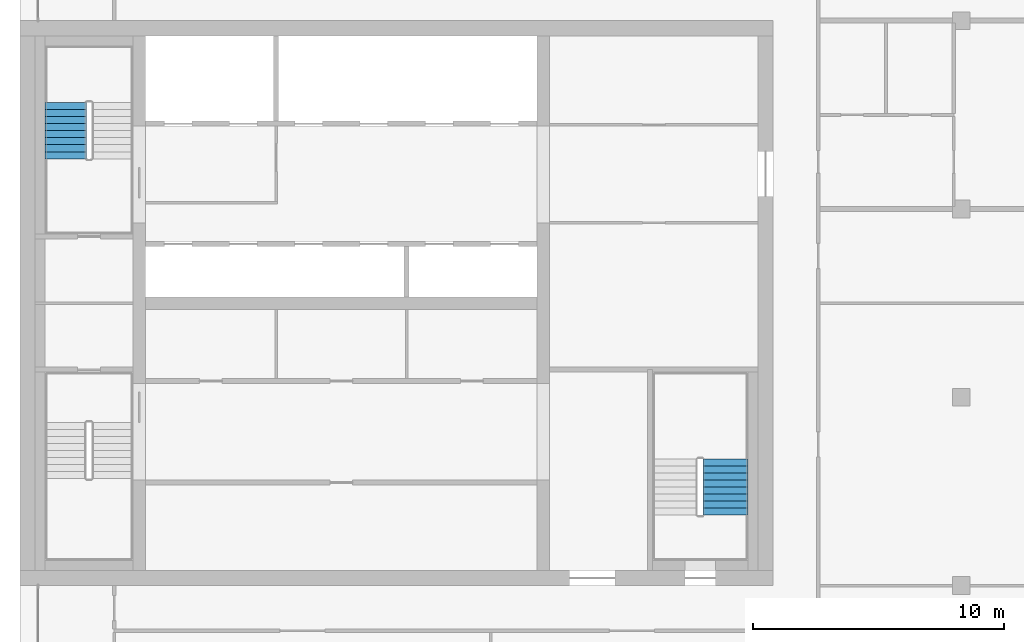
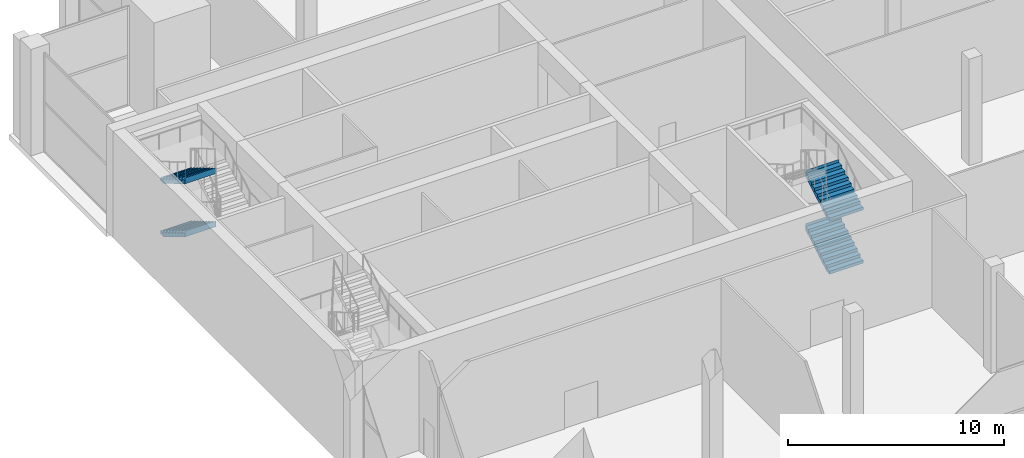
# One storey, part 12 of 15: 4 stair flights, 2 elements without a shape of their own.
"""IFC4 building model written with IfcOpenShell, lengths in metres."""

from ifc_helpers import new_model, si_unit, direction, frame, origin, place, context, subcontext, project, spatial, polyline, outline, extrude, material, type_object, element, aggregate, save


model = new_model("IFC4")

# Units and contexts
model_context = context("Model", 3, precision=1e-05, world=origin(), true_north=direction((0.0, 1.0)))
body_context = subcontext(model_context, "Body", "Model", "MODEL_VIEW")
ifc_project = project(units=[si_unit("LENGTHUNIT", "METRE"), si_unit("AREAUNIT", "SQUARE_METRE"), si_unit("VOLUMEUNIT", "CUBIC_METRE"), si_unit("PLANEANGLEUNIT", "RADIAN"), si_unit("MASSUNIT", "GRAM", prefix="KILO")], contexts=[model_context])

# Site, building, storey
site_placement = place(None, origin())
site = spatial("IfcSite", under=ifc_project, at=site_placement, CompositionType="ELEMENT")
building_placement = place(site_placement, origin())
building = spatial("IfcBuilding", under=site, at=building_placement, Name="Tamorin Gate", CompositionType="ELEMENT")
storey_placement = place(building_placement, frame((0.0, 0.0, 308.699951171875)))
storey = spatial("IfcBuildingStorey", under=building, at=storey_placement, Name="L76", CompositionType="ELEMENT", Elevation=308.699951171875)

# Stair, stair flights
ifc_material = material(Name="Concrete C40/50", Category="concrete")
stair_type = type_object("IfcStairType", Name="Exit stair", PredefinedType="HALF_TURN_STAIR", material=ifc_material)
stair_1_placement = place(storey_placement, origin())
stair_1 = element("IfcStair", 1, at=stair_1_placement, inside=storey, type_object=stair_type, Name="L76 stair ST2", PredefinedType="HALF_TURN_STAIR")
stair_flight_type = type_object("IfcStairFlightType", Name="Exit stair flight", PredefinedType="STRAIGHT", material=ifc_material)
stair_flight_1_placement = place(storey_placement, frame((31.824951171875, 79.239990234375, 1.5), z_axis=(0.0, 0.0, 1.0), x_axis=(0.0, -1.0, 0.0)))
stair_flight_1 = element("IfcStairFlight", 2, at=stair_flight_1_placement, type_object=stair_flight_type, Name="ST2 flight 2", NumberOfRisers=9, NumberOfTreads=8, PredefinedType="STRAIGHT", RiserHeight=0.166666667, TreadLength=0.28, context=body_context, shape_type="SweptSolid", body=[
    extrude(outline(polyline([(-0.00048828125, 0.0), (-0.00048828125, 0.001708984375), (-0.00048828125, 0.00341796875), (-0.00048828125, 0.0048828125), (-0.00048828125, 0.006591796875), (-0.00048828125, 0.00830078125), (-0.00048828125, 0.010009765625), (-0.00048828125, 0.011474609375), (-0.00048828125, 0.01318359375), (-0.00048828125, 0.014892578125), (-0.00048828125, 0.0166015625), (-0.00048828125, 0.01806640625), (-0.00048828125, 0.019775390625), (-0.00048828125, 0.021484375), (-0.00048828125, 0.023193359375), (-0.00048828125, 0.024658203125), (-0.00048828125, 0.0263671875), (-0.00048828125, 0.028076171875), (-0.00048828125, 0.02978515625), (-0.00048828125, 0.03125), (-0.00048828125, 0.032958984375), (-0.00048828125, 0.03466796875), (-0.00048828125, 0.036376953125), (-0.00048828125, 0.037841796875), (-0.00048828125, 0.03955078125), (-0.00048828125, 0.041259765625), (-0.00048828125, 0.04296875), (-0.00048828125, 0.04443359375), (-0.00048828125, 0.046142578125), (-0.00048828125, 0.0478515625), (-0.00048828125, 0.049560546875), (-0.00048828125, 0.05126953125), (-0.00048828125, 0.052734375), (-0.00048828125, 0.054443359375), (-0.00048828125, 0.05615234375), (-0.00048828125, 0.057861328125), (-0.00048828125, 0.059326171875), (-0.00048828125, 0.06103515625), (-0.00048828125, 0.062744140625), (-0.00048828125, 0.064453125), (-0.00048828125, 0.06591796875), (-0.00048828125, 0.067626953125), (-0.00048828125, 0.0693359375), (-0.00048828125, 0.071044921875), (-0.00048828125, 0.072509765625), (-0.00048828125, 0.07421875), (-0.00048828125, 0.075927734375), (-0.00048828125, 0.07763671875), (-0.00048828125, 0.0791015625), (-0.00048828125, 0.080810546875), (-0.00048828125, 0.08251953125), (-0.00048828125, 0.084228515625), (-0.00048828125, 0.085693359375), (-0.00048828125, 0.08740234375), (-0.00048828125, 0.089111328125), (-0.00048828125, 0.0908203125), (-0.00048828125, 0.092529296875), (-0.00048828125, 0.093994140625), (-0.00048828125, 0.095703125), (-0.00048828125, 0.097412109375), (-0.00048828125, 0.09912109375), (-0.00048828125, 0.1005859375), (-0.00048828125, 0.102294921875), (-0.00048828125, 0.10400390625), (-0.00048828125, 0.105712890625), (-0.00048828125, 0.107177734375), (-0.00048828125, 0.10888671875), (-0.00048828125, 0.110595703125), (-0.00048828125, 0.1123046875), (-0.00048828125, 0.11376953125), (-0.00048828125, 0.115478515625), (-0.00048828125, 0.1171875), (-0.00048828125, 0.118896484375), (-0.00048828125, 0.120361328125), (-0.00048828125, 0.1220703125), (-0.00048828125, 0.123779296875), (-0.00048828125, 0.12548828125), (-0.00048828125, 0.126953125), (-0.00048828125, 0.128662109375), (-0.00048828125, 0.13037109375), (-0.00048828125, 0.132080078125), (-0.00048828125, 0.133544921875), (-0.00048828125, 0.13525390625), (-0.00048828125, 0.136962890625), (-0.00048828125, 0.138671875), (-0.00048828125, 0.140380859375), (-0.00048828125, 0.141845703125), (-0.00048828125, 0.1435546875), (-0.00048828125, 0.145263671875), (-0.00048828125, 0.14697265625), (-0.00048828125, 0.1484375), (-0.00048828125, 0.150146484375), (-0.00048828125, 0.15185546875), (-0.00048828125, 0.153564453125), (-0.00048828125, 0.155029296875), (-0.00048828125, 0.15673828125), (-0.00048828125, 0.158447265625), (-0.00048828125, 0.16015625), (-0.00048828125, 0.16162109375), (-0.00048828125, 0.163330078125), (-0.00048828125, 0.1650390625), (-0.00048828125, 0.166748046875), (0.280029296875, 0.166748046875), (0.280029296875, 0.333251953125), (0.56005859375, 0.333251953125), (0.56005859375, 0.5), (0.840087890625, 0.5), (0.840087890625, 0.666748046875), (1.1201171875, 0.666748046875), (1.1201171875, 0.833251953125), (1.39990234375, 0.833251953125), (1.39990234375, 1.0), (1.679931640625, 1.0), (1.679931640625, 1.166748046875), (1.9599609375, 1.166748046875), (1.9599609375, 1.333251953125), (2.239990234375, 1.333251953125), (2.239990234375, 1.5), (2.240478515625, 1.5), (2.240478515625, 1.49658203125), (2.240478515625, 1.4931640625), (2.240478515625, 1.48974609375), (2.240478515625, 1.486572265625), (2.240478515625, 1.483154296875), (2.240478515625, 1.479736328125), (2.240478515625, 1.476318359375), (2.240478515625, 1.472900390625), (2.240478515625, 1.469482421875), (2.240478515625, 1.46630859375), (2.240478515625, 1.462890625), (2.240478515625, 1.45947265625), (2.240478515625, 1.4560546875), (2.240478515625, 1.45263671875), (2.240478515625, 1.44921875), (2.240478515625, 1.446044921875), (2.240478515625, 1.442626953125), (2.240478515625, 1.439208984375), (2.240478515625, 1.435791015625), (2.240478515625, 1.432373046875), (2.240478515625, 1.428955078125), (2.240478515625, 1.42578125), (2.240478515625, 1.42236328125), (2.240478515625, 1.4189453125), (2.240478515625, 1.41552734375), (2.240478515625, 1.412109375), (2.240478515625, 1.40869140625), (2.240478515625, 1.405517578125), (2.240478515625, 1.402099609375), (2.240478515625, 1.398681640625), (2.240478515625, 1.395263671875), (2.240478515625, 1.391845703125), (2.240478515625, 1.388427734375), (2.240478515625, 1.38525390625), (2.240478515625, 1.3818359375), (2.240478515625, 1.37841796875), (2.240478515625, 1.375), (2.240478515625, 1.37158203125), (2.240478515625, 1.3681640625), (2.240478515625, 1.364990234375), (2.240478515625, 1.361572265625), (2.240478515625, 1.358154296875), (2.240478515625, 1.354736328125), (2.240478515625, 1.351318359375), (2.240478515625, 1.347900390625), (2.240478515625, 1.3447265625), (2.240478515625, 1.34130859375), (2.240478515625, 1.337890625), (2.240478515625, 1.33447265625), (2.240478515625, 1.3310546875), (2.240478515625, 1.32763671875), (2.240478515625, 1.324462890625), (2.240478515625, 1.321044921875), (2.240478515625, 1.317626953125), (2.240478515625, 1.314208984375), (2.240478515625, 1.310791015625), (2.240478515625, 1.307373046875), (2.240478515625, 1.30419921875), (2.240478515625, 1.30078125), (2.240478515625, 1.29736328125), (2.240478515625, 1.2939453125), (2.240478515625, 1.29052734375), (2.240478515625, 1.287109375), (2.240478515625, 1.283935546875), (2.240478515625, 1.280517578125), (2.240478515625, 1.277099609375), (2.240478515625, 1.273681640625), (2.240478515625, 1.270263671875), (2.240478515625, 1.266845703125), (2.240478515625, 1.263671875), (2.240478515625, 1.26025390625), (2.240478515625, 1.2568359375), (2.240478515625, 1.25341796875), (2.240478515625, 1.25), (2.240478515625, 1.24658203125), (2.240478515625, 1.243408203125), (2.240478515625, 1.239990234375), (2.240478515625, 1.236572265625), (2.240478515625, 1.233154296875), (2.240478515625, 1.229736328125), (2.240478515625, 1.226318359375), (2.240478515625, 1.22314453125), (2.240478515625, 1.2197265625), (2.240478515625, 1.21630859375), (2.240478515625, 1.212890625), (2.240478515625, 1.20947265625), (2.240478515625, 1.2060546875), (2.240478515625, 1.202880859375), (2.240478515625, 1.199462890625), (2.240478515625, 1.196044921875), (2.240478515625, 1.192626953125), (2.240478515625, 1.189208984375), (2.240478515625, 1.185791015625), (2.240478515625, 1.1826171875), (2.240478515625, 1.17919921875), (2.240478515625, 1.17578125), (2.240478515625, 1.17236328125), (2.240478515625, 1.1689453125), (2.240478515625, 1.16552734375), (2.240478515625, 1.162353515625), (2.240478515625, 1.158935546875), (2.239990234375, 1.158935546875), (0.29296875, 0.0), (-0.00048828125, 0.0)])), frame((0.0, 0.824951171875, 0.0), z_axis=(0.0, -1.0, 0.0), x_axis=(1.0, 0.0, 0.0)), (0.0, 0.0, 1.0), 1.64990234375),
])
stair_flight_2_placement = place(storey_placement, frame((31.824951171875, 79.239990234375, 4.5), z_axis=(0.0, 0.0, 1.0), x_axis=(0.0, -1.0, 0.0)))
stair_flight_2 = element("IfcStairFlight", 3, at=stair_flight_2_placement, type_object=stair_flight_type, Name="ST2 flight 4", NumberOfRisers=9, NumberOfTreads=8, PredefinedType="STRAIGHT", RiserHeight=0.166666667, TreadLength=0.28, context=body_context, shape_type="SweptSolid", body=[
    extrude(outline(polyline([(-0.00048828125, 0.0), (-0.00048828125, 0.001708984375), (-0.00048828125, 0.00341796875), (-0.00048828125, 0.0048828125), (-0.00048828125, 0.006591796875), (-0.00048828125, 0.00830078125), (-0.00048828125, 0.010009765625), (-0.00048828125, 0.011474609375), (-0.00048828125, 0.01318359375), (-0.00048828125, 0.014892578125), (-0.00048828125, 0.0166015625), (-0.00048828125, 0.01806640625), (-0.00048828125, 0.019775390625), (-0.00048828125, 0.021484375), (-0.00048828125, 0.023193359375), (-0.00048828125, 0.024658203125), (-0.00048828125, 0.0263671875), (-0.00048828125, 0.028076171875), (-0.00048828125, 0.02978515625), (-0.00048828125, 0.03125), (-0.00048828125, 0.032958984375), (-0.00048828125, 0.03466796875), (-0.00048828125, 0.036376953125), (-0.00048828125, 0.037841796875), (-0.00048828125, 0.03955078125), (-0.00048828125, 0.041259765625), (-0.00048828125, 0.04296875), (-0.00048828125, 0.04443359375), (-0.00048828125, 0.046142578125), (-0.00048828125, 0.0478515625), (-0.00048828125, 0.049560546875), (-0.00048828125, 0.05126953125), (-0.00048828125, 0.052734375), (-0.00048828125, 0.054443359375), (-0.00048828125, 0.05615234375), (-0.00048828125, 0.057861328125), (-0.00048828125, 0.059326171875), (-0.00048828125, 0.06103515625), (-0.00048828125, 0.062744140625), (-0.00048828125, 0.064453125), (-0.00048828125, 0.06591796875), (-0.00048828125, 0.067626953125), (-0.00048828125, 0.0693359375), (-0.00048828125, 0.071044921875), (-0.00048828125, 0.072509765625), (-0.00048828125, 0.07421875), (-0.00048828125, 0.075927734375), (-0.00048828125, 0.07763671875), (-0.00048828125, 0.0791015625), (-0.00048828125, 0.080810546875), (-0.00048828125, 0.08251953125), (-0.00048828125, 0.084228515625), (-0.00048828125, 0.085693359375), (-0.00048828125, 0.08740234375), (-0.00048828125, 0.089111328125), (-0.00048828125, 0.0908203125), (-0.00048828125, 0.092529296875), (-0.00048828125, 0.093994140625), (-0.00048828125, 0.095703125), (-0.00048828125, 0.097412109375), (-0.00048828125, 0.09912109375), (-0.00048828125, 0.1005859375), (-0.00048828125, 0.102294921875), (-0.00048828125, 0.10400390625), (-0.00048828125, 0.105712890625), (-0.00048828125, 0.107177734375), (-0.00048828125, 0.10888671875), (-0.00048828125, 0.110595703125), (-0.00048828125, 0.1123046875), (-0.00048828125, 0.11376953125), (-0.00048828125, 0.115478515625), (-0.00048828125, 0.1171875), (-0.00048828125, 0.118896484375), (-0.00048828125, 0.120361328125), (-0.00048828125, 0.1220703125), (-0.00048828125, 0.123779296875), (-0.00048828125, 0.12548828125), (-0.00048828125, 0.126953125), (-0.00048828125, 0.128662109375), (-0.00048828125, 0.13037109375), (-0.00048828125, 0.132080078125), (-0.00048828125, 0.133544921875), (-0.00048828125, 0.13525390625), (-0.00048828125, 0.136962890625), (-0.00048828125, 0.138671875), (-0.00048828125, 0.140380859375), (-0.00048828125, 0.141845703125), (-0.00048828125, 0.1435546875), (-0.00048828125, 0.145263671875), (-0.00048828125, 0.14697265625), (-0.00048828125, 0.1484375), (-0.00048828125, 0.150146484375), (-0.00048828125, 0.15185546875), (-0.00048828125, 0.153564453125), (-0.00048828125, 0.155029296875), (-0.00048828125, 0.15673828125), (-0.00048828125, 0.158447265625), (-0.00048828125, 0.16015625), (-0.00048828125, 0.16162109375), (-0.00048828125, 0.163330078125), (-0.00048828125, 0.1650390625), (-0.00048828125, 0.166748046875), (0.280029296875, 0.166748046875), (0.280029296875, 0.333251953125), (0.56005859375, 0.333251953125), (0.56005859375, 0.5), (0.840087890625, 0.5), (0.840087890625, 0.666748046875), (1.1201171875, 0.666748046875), (1.1201171875, 0.833251953125), (1.39990234375, 0.833251953125), (1.39990234375, 1.0), (1.679931640625, 1.0), (1.679931640625, 1.166748046875), (1.9599609375, 1.166748046875), (1.9599609375, 1.333251953125), (2.239990234375, 1.333251953125), (2.239990234375, 1.5), (2.240478515625, 1.5), (2.240478515625, 1.49658203125), (2.240478515625, 1.4931640625), (2.240478515625, 1.48974609375), (2.240478515625, 1.486572265625), (2.240478515625, 1.483154296875), (2.240478515625, 1.479736328125), (2.240478515625, 1.476318359375), (2.240478515625, 1.472900390625), (2.240478515625, 1.469482421875), (2.240478515625, 1.46630859375), (2.240478515625, 1.462890625), (2.240478515625, 1.45947265625), (2.240478515625, 1.4560546875), (2.240478515625, 1.45263671875), (2.240478515625, 1.44921875), (2.240478515625, 1.446044921875), (2.240478515625, 1.442626953125), (2.240478515625, 1.439208984375), (2.240478515625, 1.435791015625), (2.240478515625, 1.432373046875), (2.240478515625, 1.428955078125), (2.240478515625, 1.42578125), (2.240478515625, 1.42236328125), (2.240478515625, 1.4189453125), (2.240478515625, 1.41552734375), (2.240478515625, 1.412109375), (2.240478515625, 1.40869140625), (2.240478515625, 1.405517578125), (2.240478515625, 1.402099609375), (2.240478515625, 1.398681640625), (2.240478515625, 1.395263671875), (2.240478515625, 1.391845703125), (2.240478515625, 1.388427734375), (2.240478515625, 1.38525390625), (2.240478515625, 1.3818359375), (2.240478515625, 1.37841796875), (2.240478515625, 1.375), (2.240478515625, 1.37158203125), (2.240478515625, 1.3681640625), (2.240478515625, 1.364990234375), (2.240478515625, 1.361572265625), (2.240478515625, 1.358154296875), (2.240478515625, 1.354736328125), (2.240478515625, 1.351318359375), (2.240478515625, 1.347900390625), (2.240478515625, 1.3447265625), (2.240478515625, 1.34130859375), (2.240478515625, 1.337890625), (2.240478515625, 1.33447265625), (2.240478515625, 1.3310546875), (2.240478515625, 1.32763671875), (2.240478515625, 1.324462890625), (2.240478515625, 1.321044921875), (2.240478515625, 1.317626953125), (2.240478515625, 1.314208984375), (2.240478515625, 1.310791015625), (2.240478515625, 1.307373046875), (2.240478515625, 1.30419921875), (2.240478515625, 1.30078125), (2.240478515625, 1.29736328125), (2.240478515625, 1.2939453125), (2.240478515625, 1.29052734375), (2.240478515625, 1.287109375), (2.240478515625, 1.283935546875), (2.240478515625, 1.280517578125), (2.240478515625, 1.277099609375), (2.240478515625, 1.273681640625), (2.240478515625, 1.270263671875), (2.240478515625, 1.266845703125), (2.240478515625, 1.263671875), (2.240478515625, 1.26025390625), (2.240478515625, 1.2568359375), (2.240478515625, 1.25341796875), (2.240478515625, 1.25), (2.240478515625, 1.24658203125), (2.240478515625, 1.243408203125), (2.240478515625, 1.239990234375), (2.240478515625, 1.236572265625), (2.240478515625, 1.233154296875), (2.240478515625, 1.229736328125), (2.240478515625, 1.226318359375), (2.240478515625, 1.22314453125), (2.240478515625, 1.2197265625), (2.240478515625, 1.21630859375), (2.240478515625, 1.212890625), (2.240478515625, 1.20947265625), (2.240478515625, 1.2060546875), (2.240478515625, 1.202880859375), (2.240478515625, 1.199462890625), (2.240478515625, 1.196044921875), (2.240478515625, 1.192626953125), (2.240478515625, 1.189208984375), (2.240478515625, 1.185791015625), (2.240478515625, 1.1826171875), (2.240478515625, 1.17919921875), (2.240478515625, 1.17578125), (2.240478515625, 1.17236328125), (2.240478515625, 1.1689453125), (2.240478515625, 1.16552734375), (2.240478515625, 1.162353515625), (2.240478515625, 1.158935546875), (2.239990234375, 1.158935546875), (0.29296875, 0.0), (-0.00048828125, 0.0)])), frame((0.0, 0.824951171875, 0.0), z_axis=(0.0, -1.0, 0.0), x_axis=(1.0, 0.0, 0.0)), (0.0, 0.0, 1.0), 1.64990234375),
])
aggregate(stair_1, [stair_flight_1, stair_flight_2])

stair_2_placement = place(storey_placement, origin())
stair_2 = element("IfcStair", 4, at=stair_2_placement, inside=storey, type_object=stair_type, Name="L76 stair ST3", PredefinedType="HALF_TURN_STAIR")
stair_flight_3_placement = place(storey_placement, frame((58.10009765625, 62.800048828125, 0.0), z_axis=(0.0, 0.0, 1.0), x_axis=(0.0, 1.0, 0.0)))
stair_flight_3 = element("IfcStairFlight", 5, at=stair_flight_3_placement, type_object=stair_flight_type, Name="ST3 flight 1", NumberOfRisers=9, NumberOfTreads=8, PredefinedType="STRAIGHT", RiserHeight=0.166666667, TreadLength=0.28, context=body_context, shape_type="SweptSolid", body=[
    extrude(outline(polyline([(-0.00048828125, 0.0), (-0.00048828125, 0.001708984375), (-0.00048828125, 0.00341796875), (-0.00048828125, 0.0048828125), (-0.00048828125, 0.006591796875), (-0.00048828125, 0.00830078125), (-0.00048828125, 0.010009765625), (-0.00048828125, 0.011474609375), (-0.00048828125, 0.01318359375), (-0.00048828125, 0.014892578125), (-0.00048828125, 0.0166015625), (-0.00048828125, 0.01806640625), (-0.00048828125, 0.019775390625), (-0.00048828125, 0.021484375), (-0.00048828125, 0.023193359375), (-0.00048828125, 0.024658203125), (-0.00048828125, 0.0263671875), (-0.00048828125, 0.028076171875), (-0.00048828125, 0.02978515625), (-0.00048828125, 0.03125), (-0.00048828125, 0.032958984375), (-0.00048828125, 0.03466796875), (-0.00048828125, 0.036376953125), (-0.00048828125, 0.037841796875), (-0.00048828125, 0.03955078125), (-0.00048828125, 0.041259765625), (-0.00048828125, 0.04296875), (-0.00048828125, 0.04443359375), (-0.00048828125, 0.046142578125), (-0.00048828125, 0.0478515625), (-0.00048828125, 0.049560546875), (-0.00048828125, 0.05126953125), (-0.00048828125, 0.052734375), (-0.00048828125, 0.054443359375), (-0.00048828125, 0.05615234375), (-0.00048828125, 0.057861328125), (-0.00048828125, 0.059326171875), (-0.00048828125, 0.06103515625), (-0.00048828125, 0.062744140625), (-0.00048828125, 0.064453125), (-0.00048828125, 0.06591796875), (-0.00048828125, 0.067626953125), (-0.00048828125, 0.0693359375), (-0.00048828125, 0.071044921875), (-0.00048828125, 0.072509765625), (-0.00048828125, 0.07421875), (-0.00048828125, 0.075927734375), (-0.00048828125, 0.07763671875), (-0.00048828125, 0.0791015625), (-0.00048828125, 0.080810546875), (-0.00048828125, 0.08251953125), (-0.00048828125, 0.084228515625), (-0.00048828125, 0.085693359375), (-0.00048828125, 0.08740234375), (-0.00048828125, 0.089111328125), (-0.00048828125, 0.0908203125), (-0.00048828125, 0.092529296875), (-0.00048828125, 0.093994140625), (-0.00048828125, 0.095703125), (-0.00048828125, 0.097412109375), (-0.00048828125, 0.09912109375), (-0.00048828125, 0.1005859375), (-0.00048828125, 0.102294921875), (-0.00048828125, 0.10400390625), (-0.00048828125, 0.105712890625), (-0.00048828125, 0.107177734375), (-0.00048828125, 0.10888671875), (-0.00048828125, 0.110595703125), (-0.00048828125, 0.1123046875), (-0.00048828125, 0.11376953125), (-0.00048828125, 0.115478515625), (-0.00048828125, 0.1171875), (-0.00048828125, 0.118896484375), (-0.00048828125, 0.120361328125), (-0.00048828125, 0.1220703125), (-0.00048828125, 0.123779296875), (-0.00048828125, 0.12548828125), (-0.00048828125, 0.126953125), (-0.00048828125, 0.128662109375), (-0.00048828125, 0.13037109375), (-0.00048828125, 0.132080078125), (-0.00048828125, 0.133544921875), (-0.00048828125, 0.13525390625), (-0.00048828125, 0.136962890625), (-0.00048828125, 0.138671875), (-0.00048828125, 0.140380859375), (-0.00048828125, 0.141845703125), (-0.00048828125, 0.1435546875), (-0.00048828125, 0.145263671875), (-0.00048828125, 0.14697265625), (-0.00048828125, 0.1484375), (-0.00048828125, 0.150146484375), (-0.00048828125, 0.15185546875), (-0.00048828125, 0.153564453125), (-0.00048828125, 0.155029296875), (-0.00048828125, 0.15673828125), (-0.00048828125, 0.158447265625), (-0.00048828125, 0.16015625), (-0.00048828125, 0.16162109375), (-0.00048828125, 0.163330078125), (-0.00048828125, 0.1650390625), (-0.00048828125, 0.166748046875), (0.280029296875, 0.166748046875), (0.280029296875, 0.333251953125), (0.56005859375, 0.333251953125), (0.56005859375, 0.5), (0.840087890625, 0.5), (0.840087890625, 0.666748046875), (1.1201171875, 0.666748046875), (1.1201171875, 0.833251953125), (1.39990234375, 0.833251953125), (1.39990234375, 1.0), (1.679931640625, 1.0), (1.679931640625, 1.166748046875), (1.9599609375, 1.166748046875), (1.9599609375, 1.333251953125), (2.239990234375, 1.333251953125), (2.239990234375, 1.5), (2.240478515625, 1.5), (2.240478515625, 1.49658203125), (2.240478515625, 1.4931640625), (2.240478515625, 1.48974609375), (2.240478515625, 1.486572265625), (2.240478515625, 1.483154296875), (2.240478515625, 1.479736328125), (2.240478515625, 1.476318359375), (2.240478515625, 1.472900390625), (2.240478515625, 1.469482421875), (2.240478515625, 1.46630859375), (2.240478515625, 1.462890625), (2.240478515625, 1.45947265625), (2.240478515625, 1.4560546875), (2.240478515625, 1.45263671875), (2.240478515625, 1.44921875), (2.240478515625, 1.446044921875), (2.240478515625, 1.442626953125), (2.240478515625, 1.439208984375), (2.240478515625, 1.435791015625), (2.240478515625, 1.432373046875), (2.240478515625, 1.428955078125), (2.240478515625, 1.42578125), (2.240478515625, 1.42236328125), (2.240478515625, 1.4189453125), (2.240478515625, 1.41552734375), (2.240478515625, 1.412109375), (2.240478515625, 1.40869140625), (2.240478515625, 1.405517578125), (2.240478515625, 1.402099609375), (2.240478515625, 1.398681640625), (2.240478515625, 1.395263671875), (2.240478515625, 1.391845703125), (2.240478515625, 1.388427734375), (2.240478515625, 1.38525390625), (2.240478515625, 1.3818359375), (2.240478515625, 1.37841796875), (2.240478515625, 1.375), (2.240478515625, 1.37158203125), (2.240478515625, 1.3681640625), (2.240478515625, 1.364990234375), (2.240478515625, 1.361572265625), (2.240478515625, 1.358154296875), (2.240478515625, 1.354736328125), (2.240478515625, 1.351318359375), (2.240478515625, 1.347900390625), (2.240478515625, 1.3447265625), (2.240478515625, 1.34130859375), (2.240478515625, 1.337890625), (2.240478515625, 1.33447265625), (2.240478515625, 1.3310546875), (2.240478515625, 1.32763671875), (2.240478515625, 1.324462890625), (2.240478515625, 1.321044921875), (2.240478515625, 1.317626953125), (2.240478515625, 1.314208984375), (2.240478515625, 1.310791015625), (2.240478515625, 1.307373046875), (2.240478515625, 1.30419921875), (2.240478515625, 1.30078125), (2.240478515625, 1.29736328125), (2.240478515625, 1.2939453125), (2.240478515625, 1.29052734375), (2.240478515625, 1.287109375), (2.240478515625, 1.283935546875), (2.240478515625, 1.280517578125), (2.240478515625, 1.277099609375), (2.240478515625, 1.273681640625), (2.240478515625, 1.270263671875), (2.240478515625, 1.266845703125), (2.240478515625, 1.263671875), (2.240478515625, 1.26025390625), (2.240478515625, 1.2568359375), (2.240478515625, 1.25341796875), (2.240478515625, 1.25), (2.240478515625, 1.24658203125), (2.240478515625, 1.243408203125), (2.240478515625, 1.239990234375), (2.240478515625, 1.236572265625), (2.240478515625, 1.233154296875), (2.240478515625, 1.229736328125), (2.240478515625, 1.226318359375), (2.240478515625, 1.22314453125), (2.240478515625, 1.2197265625), (2.240478515625, 1.21630859375), (2.240478515625, 1.212890625), (2.240478515625, 1.20947265625), (2.240478515625, 1.2060546875), (2.240478515625, 1.202880859375), (2.240478515625, 1.199462890625), (2.240478515625, 1.196044921875), (2.240478515625, 1.192626953125), (2.240478515625, 1.189208984375), (2.240478515625, 1.185791015625), (2.240478515625, 1.1826171875), (2.240478515625, 1.17919921875), (2.240478515625, 1.17578125), (2.240478515625, 1.17236328125), (2.240478515625, 1.1689453125), (2.240478515625, 1.16552734375), (2.240478515625, 1.162353515625), (2.240478515625, 1.158935546875), (2.239990234375, 1.158935546875), (0.29296875, 0.0), (-0.00048828125, 0.0)])), frame((0.0, 0.89990234375, 0.0), z_axis=(0.0, -1.0, 0.0), x_axis=(1.0, 0.0, 0.0)), (0.0, 0.0, 1.0), 1.800048828125),
])
stair_flight_4_placement = place(storey_placement, frame((58.10009765625, 62.800048828125, 3.0), z_axis=(0.0, 0.0, 1.0), x_axis=(0.0, 1.0, 0.0)))
stair_flight_4 = element("IfcStairFlight", 6, at=stair_flight_4_placement, type_object=stair_flight_type, Name="ST3 flight 3", NumberOfRisers=9, NumberOfTreads=8, PredefinedType="STRAIGHT", RiserHeight=0.166666667, TreadLength=0.28, context=body_context, shape_type="SweptSolid", body=[
    extrude(outline(polyline([(-0.00048828125, 0.0), (-0.00048828125, 0.001708984375), (-0.00048828125, 0.00341796875), (-0.00048828125, 0.0048828125), (-0.00048828125, 0.006591796875), (-0.00048828125, 0.00830078125), (-0.00048828125, 0.010009765625), (-0.00048828125, 0.011474609375), (-0.00048828125, 0.01318359375), (-0.00048828125, 0.014892578125), (-0.00048828125, 0.0166015625), (-0.00048828125, 0.01806640625), (-0.00048828125, 0.019775390625), (-0.00048828125, 0.021484375), (-0.00048828125, 0.023193359375), (-0.00048828125, 0.024658203125), (-0.00048828125, 0.0263671875), (-0.00048828125, 0.028076171875), (-0.00048828125, 0.02978515625), (-0.00048828125, 0.03125), (-0.00048828125, 0.032958984375), (-0.00048828125, 0.03466796875), (-0.00048828125, 0.036376953125), (-0.00048828125, 0.037841796875), (-0.00048828125, 0.03955078125), (-0.00048828125, 0.041259765625), (-0.00048828125, 0.04296875), (-0.00048828125, 0.04443359375), (-0.00048828125, 0.046142578125), (-0.00048828125, 0.0478515625), (-0.00048828125, 0.049560546875), (-0.00048828125, 0.05126953125), (-0.00048828125, 0.052734375), (-0.00048828125, 0.054443359375), (-0.00048828125, 0.05615234375), (-0.00048828125, 0.057861328125), (-0.00048828125, 0.059326171875), (-0.00048828125, 0.06103515625), (-0.00048828125, 0.062744140625), (-0.00048828125, 0.064453125), (-0.00048828125, 0.06591796875), (-0.00048828125, 0.067626953125), (-0.00048828125, 0.0693359375), (-0.00048828125, 0.071044921875), (-0.00048828125, 0.072509765625), (-0.00048828125, 0.07421875), (-0.00048828125, 0.075927734375), (-0.00048828125, 0.07763671875), (-0.00048828125, 0.0791015625), (-0.00048828125, 0.080810546875), (-0.00048828125, 0.08251953125), (-0.00048828125, 0.084228515625), (-0.00048828125, 0.085693359375), (-0.00048828125, 0.08740234375), (-0.00048828125, 0.089111328125), (-0.00048828125, 0.0908203125), (-0.00048828125, 0.092529296875), (-0.00048828125, 0.093994140625), (-0.00048828125, 0.095703125), (-0.00048828125, 0.097412109375), (-0.00048828125, 0.09912109375), (-0.00048828125, 0.1005859375), (-0.00048828125, 0.102294921875), (-0.00048828125, 0.10400390625), (-0.00048828125, 0.105712890625), (-0.00048828125, 0.107177734375), (-0.00048828125, 0.10888671875), (-0.00048828125, 0.110595703125), (-0.00048828125, 0.1123046875), (-0.00048828125, 0.11376953125), (-0.00048828125, 0.115478515625), (-0.00048828125, 0.1171875), (-0.00048828125, 0.118896484375), (-0.00048828125, 0.120361328125), (-0.00048828125, 0.1220703125), (-0.00048828125, 0.123779296875), (-0.00048828125, 0.12548828125), (-0.00048828125, 0.126953125), (-0.00048828125, 0.128662109375), (-0.00048828125, 0.13037109375), (-0.00048828125, 0.132080078125), (-0.00048828125, 0.133544921875), (-0.00048828125, 0.13525390625), (-0.00048828125, 0.136962890625), (-0.00048828125, 0.138671875), (-0.00048828125, 0.140380859375), (-0.00048828125, 0.141845703125), (-0.00048828125, 0.1435546875), (-0.00048828125, 0.145263671875), (-0.00048828125, 0.14697265625), (-0.00048828125, 0.1484375), (-0.00048828125, 0.150146484375), (-0.00048828125, 0.15185546875), (-0.00048828125, 0.153564453125), (-0.00048828125, 0.155029296875), (-0.00048828125, 0.15673828125), (-0.00048828125, 0.158447265625), (-0.00048828125, 0.16015625), (-0.00048828125, 0.16162109375), (-0.00048828125, 0.163330078125), (-0.00048828125, 0.1650390625), (-0.00048828125, 0.166748046875), (0.280029296875, 0.166748046875), (0.280029296875, 0.333251953125), (0.56005859375, 0.333251953125), (0.56005859375, 0.5), (0.840087890625, 0.5), (0.840087890625, 0.666748046875), (1.1201171875, 0.666748046875), (1.1201171875, 0.833251953125), (1.39990234375, 0.833251953125), (1.39990234375, 1.0), (1.679931640625, 1.0), (1.679931640625, 1.166748046875), (1.9599609375, 1.166748046875), (1.9599609375, 1.333251953125), (2.239990234375, 1.333251953125), (2.239990234375, 1.5), (2.240478515625, 1.5), (2.240478515625, 1.49658203125), (2.240478515625, 1.4931640625), (2.240478515625, 1.48974609375), (2.240478515625, 1.486572265625), (2.240478515625, 1.483154296875), (2.240478515625, 1.479736328125), (2.240478515625, 1.476318359375), (2.240478515625, 1.472900390625), (2.240478515625, 1.469482421875), (2.240478515625, 1.46630859375), (2.240478515625, 1.462890625), (2.240478515625, 1.45947265625), (2.240478515625, 1.4560546875), (2.240478515625, 1.45263671875), (2.240478515625, 1.44921875), (2.240478515625, 1.446044921875), (2.240478515625, 1.442626953125), (2.240478515625, 1.439208984375), (2.240478515625, 1.435791015625), (2.240478515625, 1.432373046875), (2.240478515625, 1.428955078125), (2.240478515625, 1.42578125), (2.240478515625, 1.42236328125), (2.240478515625, 1.4189453125), (2.240478515625, 1.41552734375), (2.240478515625, 1.412109375), (2.240478515625, 1.40869140625), (2.240478515625, 1.405517578125), (2.240478515625, 1.402099609375), (2.240478515625, 1.398681640625), (2.240478515625, 1.395263671875), (2.240478515625, 1.391845703125), (2.240478515625, 1.388427734375), (2.240478515625, 1.38525390625), (2.240478515625, 1.3818359375), (2.240478515625, 1.37841796875), (2.240478515625, 1.375), (2.240478515625, 1.37158203125), (2.240478515625, 1.3681640625), (2.240478515625, 1.364990234375), (2.240478515625, 1.361572265625), (2.240478515625, 1.358154296875), (2.240478515625, 1.354736328125), (2.240478515625, 1.351318359375), (2.240478515625, 1.347900390625), (2.240478515625, 1.3447265625), (2.240478515625, 1.34130859375), (2.240478515625, 1.337890625), (2.240478515625, 1.33447265625), (2.240478515625, 1.3310546875), (2.240478515625, 1.32763671875), (2.240478515625, 1.324462890625), (2.240478515625, 1.321044921875), (2.240478515625, 1.317626953125), (2.240478515625, 1.314208984375), (2.240478515625, 1.310791015625), (2.240478515625, 1.307373046875), (2.240478515625, 1.30419921875), (2.240478515625, 1.30078125), (2.240478515625, 1.29736328125), (2.240478515625, 1.2939453125), (2.240478515625, 1.29052734375), (2.240478515625, 1.287109375), (2.240478515625, 1.283935546875), (2.240478515625, 1.280517578125), (2.240478515625, 1.277099609375), (2.240478515625, 1.273681640625), (2.240478515625, 1.270263671875), (2.240478515625, 1.266845703125), (2.240478515625, 1.263671875), (2.240478515625, 1.26025390625), (2.240478515625, 1.2568359375), (2.240478515625, 1.25341796875), (2.240478515625, 1.25), (2.240478515625, 1.24658203125), (2.240478515625, 1.243408203125), (2.240478515625, 1.239990234375), (2.240478515625, 1.236572265625), (2.240478515625, 1.233154296875), (2.240478515625, 1.229736328125), (2.240478515625, 1.226318359375), (2.240478515625, 1.22314453125), (2.240478515625, 1.2197265625), (2.240478515625, 1.21630859375), (2.240478515625, 1.212890625), (2.240478515625, 1.20947265625), (2.240478515625, 1.2060546875), (2.240478515625, 1.202880859375), (2.240478515625, 1.199462890625), (2.240478515625, 1.196044921875), (2.240478515625, 1.192626953125), (2.240478515625, 1.189208984375), (2.240478515625, 1.185791015625), (2.240478515625, 1.1826171875), (2.240478515625, 1.17919921875), (2.240478515625, 1.17578125), (2.240478515625, 1.17236328125), (2.240478515625, 1.1689453125), (2.240478515625, 1.16552734375), (2.240478515625, 1.162353515625), (2.240478515625, 1.158935546875), (2.239990234375, 1.158935546875), (0.29296875, 0.0), (-0.00048828125, 0.0)])), frame((0.0, 0.89990234375, 0.0), z_axis=(0.0, -1.0, 0.0), x_axis=(1.0, 0.0, 0.0)), (0.0, 0.0, 1.0), 1.800048828125),
])
aggregate(stair_2, [stair_flight_3, stair_flight_4])

save(model, "model.ifc")
